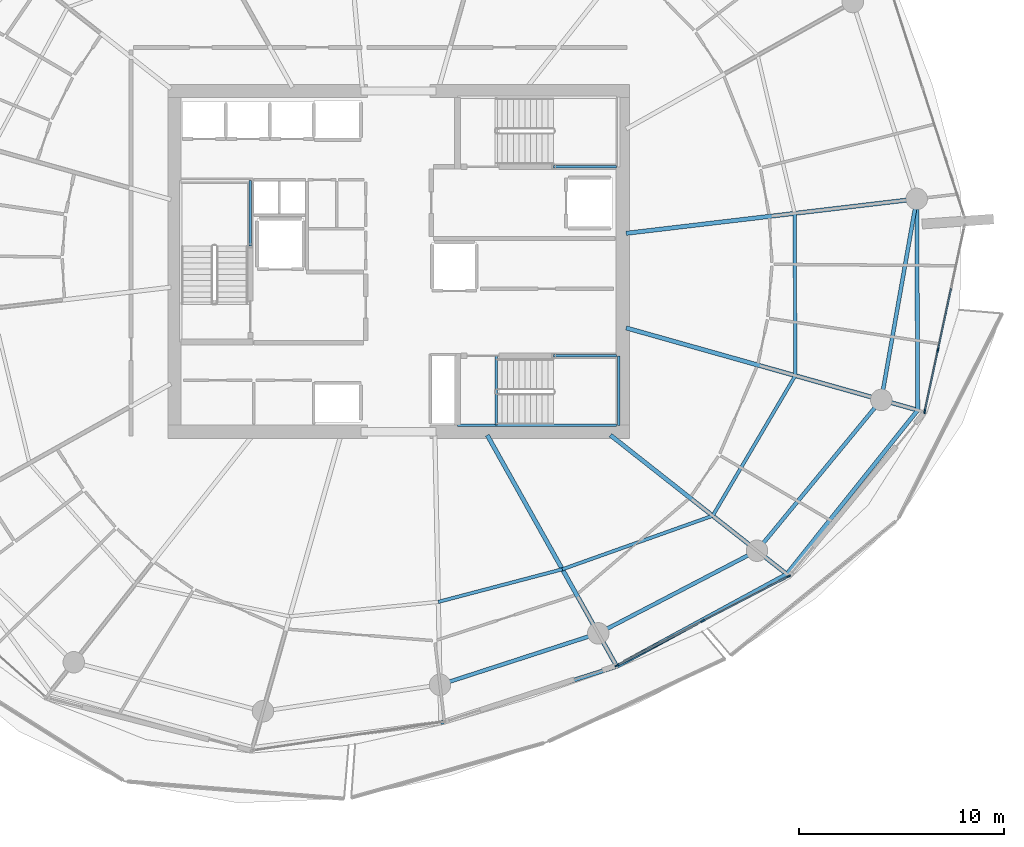
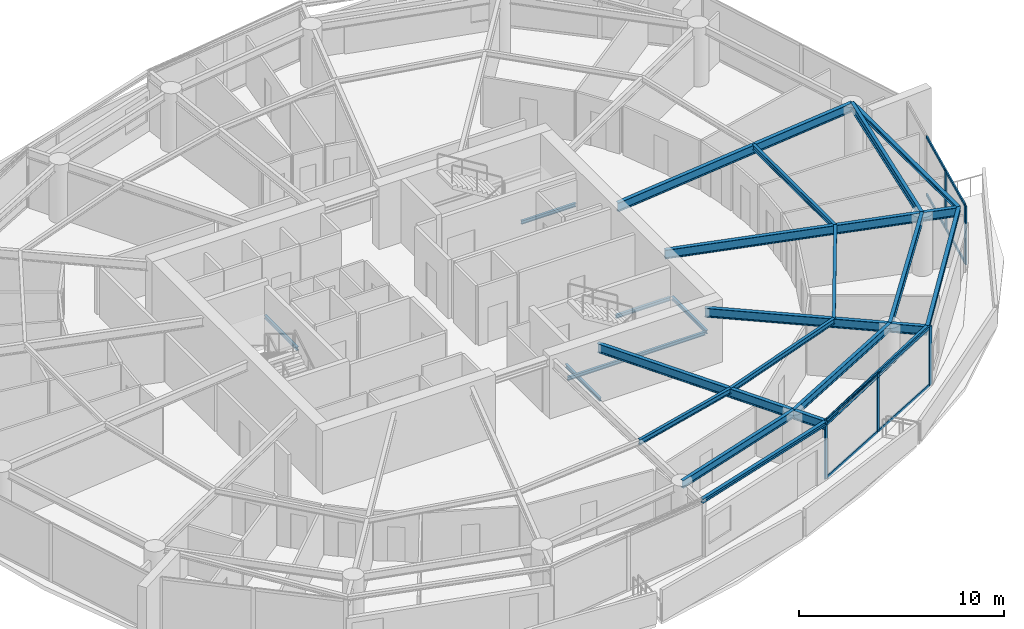
# One storey, part 6 of 20: 22 beams, 13 members, 2 elements without a shape of their own.
"""IFC4 building model written with IfcOpenShell, lengths in metres."""

from ifc_helpers import new_model, si_unit, direction, frame, origin, origin_2d, place, context, subcontext, project, spatial, rectangle, i_section, extrude, material, layer, layer_set, material_profile, profile_set, type_object, element, aggregate, save


model = new_model("IFC4")

# Units and contexts
model_context = context("Model", 3, precision=1e-05, world=origin(), true_north=direction((0.0, 1.0)))
body_context = subcontext(model_context, "Body", "Model", "MODEL_VIEW")
ifc_project = project(units=[si_unit("LENGTHUNIT", "METRE"), si_unit("AREAUNIT", "SQUARE_METRE"), si_unit("VOLUMEUNIT", "CUBIC_METRE"), si_unit("PLANEANGLEUNIT", "RADIAN"), si_unit("MASSUNIT", "GRAM", prefix="KILO")], contexts=[model_context])

# Site, building, storey
site_placement = place(None, origin())
site = spatial("IfcSite", under=ifc_project, at=site_placement, CompositionType="ELEMENT")
building_placement = place(site_placement, origin())
building = spatial("IfcBuilding", under=site, at=building_placement, Name="Kazma Halo Residences", CompositionType="ELEMENT")
storey_placement = place(building_placement, frame((0.0, 0.0, 202.800048828125)))
storey = spatial("IfcBuildingStorey", under=building, at=storey_placement, Name="L51", CompositionType="ELEMENT", Elevation=202.800048828125)

# Beams
ifc_material_1 = material(Name="Steel S355", Category="steel")
ifc_material_profile_1 = material_profile(ifc_material_1, i_section(OverallWidth=0.201904296875, OverallDepth=0.2470703125, WebThickness=0.00732421875, FlangeThickness=0.010986328125, FilletRadius=0.011962890625, at=origin_2d()), Name="W250x49.1")
ifc_profile_set_1 = profile_set([ifc_material_profile_1], Name="Steel S355")
beam_type_1 = type_object("IfcBeamType", Name="BM-BAL-CANT", PredefinedType="BEAM", material=ifc_profile_set_1)
beam_1_placement = place(storey_placement, frame((50.48779296875, 19.45068359375, 3.37646484375), z_axis=(0.952538666424, 0.30441762263, 0.0), x_axis=(-0.30441762263, 0.952538666424, 0.0)))
element("IfcBeam", 1, at=beam_1_placement, inside=storey, type_object=beam_type_1, Name="L51 wave-balcony tie beam 12", PredefinedType="BEAM", context=body_context, shape_type="SweptSolid", body=[
    extrude(i_section(OverallWidth=0.201904296875, OverallDepth=0.2470703125, WebThickness=0.00732421875, FlangeThickness=0.010986328125, FilletRadius=0.011962890625, at=origin_2d()), origin(), (0.0, 0.0, 1.0), 9.029541015625),
])
beam_2_placement = place(storey_placement, frame((59.0888671875, 22.199462890625, 3.37646484375), z_axis=(0.878890557257, 0.477023467309, 0.0), x_axis=(-0.477023467309, 0.878890557257, 0.0)))
element("IfcBeam", 2, at=beam_2_placement, inside=storey, type_object=beam_type_1, Name="L51 wave-balcony tie beam 13", PredefinedType="BEAM", context=body_context, shape_type="SweptSolid", body=[
    extrude(i_section(OverallWidth=0.201904296875, OverallDepth=0.2470703125, WebThickness=0.00732421875, FlangeThickness=0.010986328125, FilletRadius=0.011962890625, at=origin_2d()), origin(), (0.0, 0.0, 1.0), 9.452880859375),
])
beam_3_placement = place(storey_placement, frame((67.39697265625, 26.708740234375, 3.37646484375), z_axis=(0.624195724924, 0.781268005864, 0.0), x_axis=(-0.781268005864, 0.624195724924, 0.0)))
element("IfcBeam", 3, at=beam_3_placement, inside=storey, type_object=beam_type_1, Name="L51 wave-balcony tie beam 14", PredefinedType="BEAM", context=body_context, shape_type="SweptSolid", body=[
    extrude(i_section(OverallWidth=0.201904296875, OverallDepth=0.2470703125, WebThickness=0.00732421875, FlangeThickness=0.010986328125, FilletRadius=0.011962890625, at=origin_2d()), origin(), (0.0, 0.0, 1.0), 10.258544921875),
])
beam_4_placement = place(storey_placement, frame((73.80029296875, 34.723388671875, 3.37646484375), z_axis=(-0.004705663334, 0.999988928305, 0.0), x_axis=(-0.999988928305, -0.004705663334, 0.0)))
element("IfcBeam", 4, at=beam_4_placement, inside=storey, type_object=beam_type_1, Name="L51 wave-balcony tie beam 15", PredefinedType="BEAM", context=body_context, shape_type="SweptSolid", body=[
    extrude(i_section(OverallWidth=0.201904296875, OverallDepth=0.2470703125, WebThickness=0.00732421875, FlangeThickness=0.010986328125, FilletRadius=0.011962890625, at=origin_2d()), origin(), (0.0, 0.0, 1.0), 10.324462890625),
])
ifc_material_profile_2 = material_profile(ifc_material_1, i_section(OverallWidth=0.208984375, OverallDepth=0.532958984375, WebThickness=0.01025390625, FlangeThickness=0.015625, FilletRadius=0.01611328125, at=origin_2d()), Name="W530x92")
ifc_profile_set_2 = profile_set([ifc_material_profile_2], Name="Steel S355")
beam_type_2 = type_object("IfcBeamType", Name="BM-RAD-W530", PredefinedType="BEAM", material=ifc_profile_set_2)
beam_5_placement = place(storey_placement, frame((52.76025390625, 33.5, 3.2333984375), z_axis=(0.488621736368, -0.872495729931, 0.0), x_axis=(0.872495729931, 0.488621736368, 0.0)))
element("IfcBeam", 5, at=beam_5_placement, inside=storey, type_object=beam_type_2, Name="L51 radial floor beam 13", PredefinedType="BEAM", context=body_context, shape_type="SweptSolid", body=[
    extrude(i_section(OverallWidth=0.208984375, OverallDepth=0.532958984375, WebThickness=0.01025390625, FlangeThickness=0.015625, FilletRadius=0.01611328125, at=origin_2d()), origin(), (0.0, 0.0, 1.0), 12.951904296875),
])
beam_6_placement = place(storey_placement, frame((58.7822265625, 33.5, 3.2333984375), z_axis=(0.785319521624, -0.619090662954, 0.0), x_axis=(0.619090662954, 0.785319521624, 0.0)))
element("IfcBeam", 6, at=beam_6_placement, inside=storey, type_object=beam_type_2, Name="L51 radial floor beam 14", PredefinedType="BEAM", context=body_context, shape_type="SweptSolid", body=[
    extrude(i_section(OverallWidth=0.208984375, OverallDepth=0.532958984375, WebThickness=0.01025390625, FlangeThickness=0.015625, FilletRadius=0.01611328125, at=origin_2d()), origin(), (0.0, 0.0, 1.0), 10.9697265625),
])
beam_7_placement = place(storey_placement, frame((59.550048828125, 38.74267578125, 3.2333984375), z_axis=(0.962449896911, -0.271459381741, 0.0), x_axis=(0.271459381741, 0.962449896911, 0.0)))
element("IfcBeam", 7, at=beam_7_placement, inside=storey, type_object=beam_type_2, Name="L51 radial floor beam 15", PredefinedType="BEAM", context=body_context, shape_type="SweptSolid", body=[
    extrude(i_section(OverallWidth=0.208984375, OverallDepth=0.532958984375, WebThickness=0.01025390625, FlangeThickness=0.015625, FilletRadius=0.01611328125, at=origin_2d()), origin(), (0.0, 0.0, 1.0), 14.80615234375),
])
beam_8_placement = place(storey_placement, frame((59.550048828125, 43.366943359375, 3.2333984375), z_axis=(0.993068204292, 0.117539532174, 0.0), x_axis=(-0.117539532174, 0.993068204292, 0.0)))
element("IfcBeam", 8, at=beam_8_placement, inside=storey, type_object=beam_type_2, Name="L51 radial floor beam 16", PredefinedType="BEAM", context=body_context, shape_type="SweptSolid", body=[
    extrude(i_section(OverallWidth=0.208984375, OverallDepth=0.532958984375, WebThickness=0.01025390625, FlangeThickness=0.015625, FilletRadius=0.01611328125, at=origin_2d()), origin(), (0.0, 0.0, 1.0), 14.30078125),
])
ifc_material_profile_3 = material_profile(ifc_material_1, i_section(OverallWidth=0.1650390625, OverallDepth=0.31005859375, WebThickness=0.005859375, FlangeThickness=0.009765625, FilletRadius=0.011962890625, at=origin_2d()), Name="W310x38.7")
ifc_profile_set_3 = profile_set([ifc_material_profile_3], Name="Steel S355")
beam_type_3 = type_object("IfcBeamType", Name="BM-SEC-W310B", PredefinedType="JOIST", material=ifc_profile_set_3)
beam_9_placement = place(storey_placement, frame((50.366943359375, 25.3515625, 3.344970703125), z_axis=(0.967135034863, 0.254263297273, 0.0), x_axis=(-0.254263297273, 0.967135034863, 0.0)))
element("IfcBeam", 9, at=beam_9_placement, inside=storey, type_object=beam_type_3, Name="L51 circumferential floor joist 12", PredefinedType="JOIST", context=body_context, shape_type="SweptSolid", body=[
    extrude(i_section(OverallWidth=0.1650390625, OverallDepth=0.31005859375, WebThickness=0.005859375, FlangeThickness=0.009765625, FilletRadius=0.011962890625, at=origin_2d()), origin(), (0.0, 0.0, 1.0), 6.27001953125),
])
beam_10_placement = place(storey_placement, frame((56.430908203125, 26.94580078125, 3.344970703125), z_axis=(0.942107492186, 0.335311009612, 0.0), x_axis=(-0.335311009612, 0.942107492186, 0.0)))
element("IfcBeam", 10, at=beam_10_placement, inside=storey, type_object=beam_type_3, Name="L51 circumferential floor joist 13", PredefinedType="JOIST", context=body_context, shape_type="SweptSolid", body=[
    extrude(i_section(OverallWidth=0.1650390625, OverallDepth=0.31005859375, WebThickness=0.005859375, FlangeThickness=0.009765625, FilletRadius=0.011962890625, at=origin_2d()), origin(), (0.0, 0.0, 1.0), 7.79931640625),
])
beam_11_placement = place(storey_placement, frame((63.77880859375, 29.56103515625, 3.344970703125), z_axis=(0.507638586433, 0.861570116453, 0.0), x_axis=(-0.861570116453, 0.507638586433, 0.0)))
element("IfcBeam", 11, at=beam_11_placement, inside=storey, type_object=beam_type_3, Name="L51 circumferential floor joist 14", PredefinedType="JOIST", context=body_context, shape_type="SweptSolid", body=[
    extrude(i_section(OverallWidth=0.1650390625, OverallDepth=0.31005859375, WebThickness=0.005859375, FlangeThickness=0.009765625, FilletRadius=0.011962890625, at=origin_2d()), origin(), (0.0, 0.0, 1.0), 7.951171875),
])
beam_12_placement = place(storey_placement, frame((67.815185546875, 36.41162109375, 3.344970703125), z_axis=(-0.003540400199, 0.999993732764, 0.0), x_axis=(-0.999993732764, -0.003540400199, 0.0)))
element("IfcBeam", 12, at=beam_12_placement, inside=storey, type_object=beam_type_3, Name="L51 circumferential floor joist 15", PredefinedType="JOIST", context=body_context, shape_type="SweptSolid", body=[
    extrude(i_section(OverallWidth=0.1650390625, OverallDepth=0.31005859375, WebThickness=0.005859375, FlangeThickness=0.009765625, FilletRadius=0.011962890625, at=origin_2d()), origin(), (0.0, 0.0, 1.0), 7.93017578125),
])
ifc_material_profile_4 = material_profile(ifc_material_1, i_section(OverallWidth=0.18994140625, OverallDepth=0.45703125, WebThickness=0.009033203125, FlangeThickness=0.014404296875, FilletRadius=0.01611328125, at=origin_2d()), Name="W460x74")
ifc_profile_set_4 = profile_set([ifc_material_profile_4], Name="Steel S355")
beam_type_4 = type_object("IfcBeamType", Name="BM-SPN-W460", PredefinedType="BEAM", material=ifc_profile_set_4)
beam_13_placement = place(storey_placement, frame((50.449951171875, 21.30029296875, 3.271484375), z_axis=(0.951048627281, 0.30904127321, 0.0), x_axis=(-0.30904127321, 0.951048627281, 0.0)))
element("IfcBeam", 13, at=beam_13_placement, inside=storey, type_object=beam_type_4, Name="L51 perimeter ring beam 12", PredefinedType="BEAM", context=body_context, shape_type="SweptSolid", body=[
    extrude(i_section(OverallWidth=0.18994140625, OverallDepth=0.45703125, WebThickness=0.009033203125, FlangeThickness=0.014404296875, FilletRadius=0.01611328125, at=origin_2d()), origin(), (0.0, 0.0, 1.0), 8.133056640625),
])
beam_14_placement = place(storey_placement, frame((58.184814453125, 23.813720703125, 3.271484375), z_axis=(0.886961243394, 0.461843861838, 0.0), x_axis=(-0.461843861838, 0.886961243394, 0.0)))
element("IfcBeam", 14, at=beam_14_placement, inside=storey, type_object=beam_type_4, Name="L51 perimeter ring beam 13", PredefinedType="BEAM", context=body_context, shape_type="SweptSolid", body=[
    extrude(i_section(OverallWidth=0.18994140625, OverallDepth=0.45703125, WebThickness=0.009033203125, FlangeThickness=0.014404296875, FilletRadius=0.01611328125, at=origin_2d()), origin(), (0.0, 0.0, 1.0), 8.748046875),
])
beam_15_placement = place(storey_placement, frame((65.944091796875, 27.85400390625, 3.271484375), z_axis=(0.63601715545, 0.771674917289, 0.0), x_axis=(-0.771674917289, 0.63601715545, 0.0)))
element("IfcBeam", 15, at=beam_15_placement, inside=storey, type_object=beam_type_4, Name="L51 perimeter ring beam 14", PredefinedType="BEAM", context=body_context, shape_type="SweptSolid", body=[
    extrude(i_section(OverallWidth=0.18994140625, OverallDepth=0.45703125, WebThickness=0.009033203125, FlangeThickness=0.014404296875, FilletRadius=0.01611328125, at=origin_2d()), origin(), (0.0, 0.0, 1.0), 9.552734375),
])
beam_16_placement = place(storey_placement, frame((72.019775390625, 35.2255859375, 3.271484375), z_axis=(0.173648484202, 0.984807698962, 0.0), x_axis=(-0.984807698962, 0.173648484202, 0.0)))
element("IfcBeam", 16, at=beam_16_placement, inside=storey, type_object=beam_type_4, Name="L51 perimeter ring beam 15", PredefinedType="BEAM", context=body_context, shape_type="SweptSolid", body=[
    extrude(i_section(OverallWidth=0.18994140625, OverallDepth=0.45703125, WebThickness=0.009033203125, FlangeThickness=0.014404296875, FilletRadius=0.01611328125, at=origin_2d()), origin(), (0.0, 0.0, 1.0), 9.973876953125),
])
ifc_material_profile_5 = material_profile(ifc_material_1, i_section(OverallWidth=0.133056640625, OverallDepth=0.20703125, WebThickness=0.005859375, FlangeThickness=0.00830078125, FilletRadius=0.010009765625, at=origin_2d()), Name="W200x26.6")
ifc_profile_set_5 = profile_set([ifc_material_profile_5], Name="Steel S355")
beam_type_5 = type_object("IfcBeamType", Name="BM-TRIM-W200", PredefinedType="BEAM", material=ifc_profile_set_5)
beam_17_placement = place(storey_placement, frame((53.199951171875, 34.0, -0.360107421875), z_axis=(0.0, 1.0, 0.0), x_axis=(-1.0, 0.0, 0.0)))
element("IfcBeam", 17, at=beam_17_placement, inside=storey, type_object=beam_type_5, Name="L51 ST-03 floor landing support beam", PredefinedType="BEAM", context=body_context, shape_type="SweptSolid", body=[
    extrude(i_section(OverallWidth=0.133056640625, OverallDepth=0.20703125, WebThickness=0.005859375, FlangeThickness=0.00830078125, FilletRadius=0.010009765625, at=origin_2d()), origin(), (0.0, 0.0, 1.0), 3.3798828125),
])
beam_18_placement = place(storey_placement, frame((41.179931640625, 42.75, 1.570068359375), z_axis=(0.0, 1.0, 0.0), x_axis=(-1.0, 0.0, 0.0)))
element("IfcBeam", 18, at=beam_18_placement, inside=storey, type_object=beam_type_5, Name="L51 ST-01 landing east wall ledger", PredefinedType="BEAM", context=body_context, shape_type="SweptSolid", body=[
    extrude(i_section(OverallWidth=0.133056640625, OverallDepth=0.20703125, WebThickness=0.005859375, FlangeThickness=0.00830078125, FilletRadius=0.010009765625, at=origin_2d()), origin(), (0.0, 0.0, 1.0), 3.18994140625),
])
beam_19_placement = place(storey_placement, frame((56.0, 46.6201171875, 1.570068359375), z_axis=(1.0, 0.0, 0.0), x_axis=(0.0, 1.0, 0.0)))
element("IfcBeam", 19, at=beam_19_placement, inside=storey, type_object=beam_type_5, Name="L51 ST-02 landing south wall ledger", PredefinedType="BEAM", context=body_context, shape_type="SweptSolid", body=[
    extrude(i_section(OverallWidth=0.133056640625, OverallDepth=0.20703125, WebThickness=0.005859375, FlangeThickness=0.00830078125, FilletRadius=0.010009765625, at=origin_2d()), origin(), (0.0, 0.0, 1.0), 3.070068359375),
])
beam_20_placement = place(storey_placement, frame((51.31005859375, 33.97998046875, 1.570068359375), z_axis=(1.0, 0.0, 0.0), x_axis=(0.0, 1.0, 0.0)))
element("IfcBeam", 20, at=beam_20_placement, inside=storey, type_object=beam_type_5, Name="L51 ST-03 landing south wall ledger", PredefinedType="BEAM", context=body_context, shape_type="SweptSolid", body=[
    extrude(i_section(OverallWidth=0.133056640625, OverallDepth=0.20703125, WebThickness=0.005859375, FlangeThickness=0.00830078125, FilletRadius=0.010009765625, at=origin_2d()), origin(), (0.0, 0.0, 1.0), 7.760009765625),
])
beam_21_placement = place(storey_placement, frame((56.0, 37.3798828125, 1.570068359375), z_axis=(1.0, 0.0, 0.0), x_axis=(0.0, 1.0, 0.0)))
element("IfcBeam", 21, at=beam_21_placement, inside=storey, type_object=beam_type_5, Name="L51 ST-03 landing north wall ledger", PredefinedType="BEAM", context=body_context, shape_type="SweptSolid", body=[
    extrude(i_section(OverallWidth=0.133056640625, OverallDepth=0.20703125, WebThickness=0.005859375, FlangeThickness=0.00830078125, FilletRadius=0.010009765625, at=origin_2d()), origin(), (0.0, 0.0, 1.0), 3.070068359375),
])
beam_22_placement = place(storey_placement, frame((59.18994140625, 33.97998046875, 1.570068359375), z_axis=(0.0, 1.0, 0.0), x_axis=(-1.0, 0.0, 0.0)))
element("IfcBeam", 22, at=beam_22_placement, inside=storey, type_object=beam_type_5, Name="L51 ST-03 landing end wall ledger", PredefinedType="BEAM", context=body_context, shape_type="SweptSolid", body=[
    extrude(i_section(OverallWidth=0.133056640625, OverallDepth=0.20703125, WebThickness=0.005859375, FlangeThickness=0.00830078125, FilletRadius=0.010009765625, at=origin_2d()), origin(), (0.0, 0.0, 1.0), 3.39990234375),
])

# Curtain wall, members
ifc_material_2 = material(Name="Aluminium AW-6063 T6 and Triple-Silver Low-E Glass", Category="aluminium")
ifc_layer = layer(ifc_material_2, 0.219970703125)
ifc_layer_set = layer_set([ifc_layer], Name="Aluminium AW-6063 T6 and Triple-Silver Low-E Glass")
curtain_wall_type = type_object("IfcCurtainWallType", Name="CW-SYS-4", PredefinedType="NOTDEFINED", material=ifc_layer_set)
curtain_wall_1_placement = place(storey_placement, origin())
curtain_wall_1 = element("IfcCurtainWall", 23, at=curtain_wall_1_placement, inside=storey, type_object=curtain_wall_type, Name="L51 unitised curtain wall B13", PredefinedType="NOTDEFINED")
ifc_material_3 = material(Name="Aluminium AW-6063 T6", Category="aluminium")
ifc_material_profile_6 = material_profile(ifc_material_3, rectangle(XDim=0.074951171875, YDim=0.219970703125, at=origin_2d()), Name="CWM-75x220")
ifc_profile_set_6 = profile_set([ifc_material_profile_6], Name="Aluminium AW-6063 T6")
member_type_1 = type_object("IfcMemberType", Name="CW-SYS-4-MUL", PredefinedType="MULLION", material=ifc_profile_set_6)
member_1_placement = place(storey_placement, frame((59.105712890625, 22.24609375, 0.0), z_axis=(0.0, 0.0, 1.0), x_axis=(-0.460873851097, 0.887465657575, 0.0)))
member_1 = element("IfcMember", 24, at=member_1_placement, type_object=member_type_1, Name="CWS-4 mullion 1", PredefinedType="MULLION", context=body_context, shape_type="SweptSolid", body=[
    extrude(rectangle(XDim=0.074951171875, YDim=0.219970703125, at=origin_2d()), origin(), (0.0, 0.0, 1.0), 3.5),
])
member_2_placement = place(storey_placement, frame((63.294677734375, 24.421630859375, 0.0), z_axis=(0.0, 0.0, 1.0), x_axis=(-0.460873851097, 0.887465657575, 0.0)))
member_2 = element("IfcMember", 25, at=member_2_placement, type_object=member_type_1, Name="CWS-4 mullion 2", PredefinedType="MULLION", context=body_context, shape_type="SweptSolid", body=[
    extrude(rectangle(XDim=0.074951171875, YDim=0.219970703125, at=origin_2d()), origin(), (0.0, 0.0, 1.0), 3.5),
])
member_3_placement = place(storey_placement, frame((67.4833984375, 26.596923828125, 0.0), z_axis=(0.0, 0.0, 1.0), x_axis=(-0.460873851097, 0.887465657575, 0.0)))
member_3 = element("IfcMember", 26, at=member_3_placement, type_object=member_type_1, Name="CWS-4 mullion 3", PredefinedType="MULLION", context=body_context, shape_type="SweptSolid", body=[
    extrude(rectangle(XDim=0.074951171875, YDim=0.219970703125, at=origin_2d()), origin(), (0.0, 0.0, 1.0), 3.5),
])

curtain_wall_2_placement = place(storey_placement, origin())
curtain_wall_2 = element("IfcCurtainWall", 27, at=curtain_wall_2_placement, inside=storey, type_object=curtain_wall_type, Name="L51 unitised curtain wall B15", PredefinedType="NOTDEFINED")
member_4_placement = place(storey_placement, frame((74.1435546875, 34.665771484375, 0.0), z_axis=(0.0, 0.0, 1.0), x_axis=(-0.977768017212, 0.209689543175, 0.0)))
member_4 = element("IfcMember", 28, at=member_4_placement, type_object=member_type_1, Name="CWS-4 mullion 1", PredefinedType="MULLION", context=body_context, shape_type="SweptSolid", body=[
    extrude(rectangle(XDim=0.074951171875, YDim=0.219970703125, at=origin_2d()), origin(), (0.0, 0.0, 1.0), 3.5),
])
member_5_placement = place(storey_placement, frame((74.787109375, 37.6669921875, 0.0), z_axis=(0.0, 0.0, 1.0), x_axis=(-0.977768017212, 0.209689543175, 0.0)))
member_5 = element("IfcMember", 29, at=member_5_placement, type_object=member_type_1, Name="CWS-4 mullion 2", PredefinedType="MULLION", context=body_context, shape_type="SweptSolid", body=[
    extrude(rectangle(XDim=0.074951171875, YDim=0.219970703125, at=origin_2d()), origin(), (0.0, 0.0, 1.0), 3.5),
])

# Member
ifc_material_profile_7 = material_profile(ifc_material_3, rectangle(XDim=0.074951171875, YDim=0.1650390625, at=origin_2d()), Name="CWT-75x165")
ifc_profile_set_7 = profile_set([ifc_material_profile_7], Name="Aluminium AW-6063 T6")
member_type_2 = type_object("IfcMemberType", Name="CW-SYS-4-TRN", PredefinedType="USERDEFINED", material=ifc_profile_set_7)
member_6_placement = place(storey_placement, frame((59.138916015625, 22.263427734375, 0.037353515625), z_axis=(0.887457630519, 0.460889307789, 0.0), x_axis=(-0.460889307789, 0.887457630519, 0.0)))
member_6 = element("IfcMember", 30, at=member_6_placement, type_object=member_type_2, Name="CWS-4 transom 1.1", ObjectType="TRANSOM", PredefinedType="USERDEFINED", context=body_context, shape_type="SweptSolid", body=[
    extrude(rectangle(XDim=0.074951171875, YDim=0.1650390625, at=origin_2d()), origin(), (0.0, 0.0, 1.0), 4.64501953125),
])

member_7_placement = place(storey_placement, frame((59.138916015625, 22.263427734375, 3.46240234375), z_axis=(0.887457630519, 0.460889307789, 0.0), x_axis=(-0.460889307789, 0.887457630519, 0.0)))
member_7 = element("IfcMember", 31, at=member_7_placement, type_object=member_type_2, Name="CWS-4 transom 1.2", ObjectType="TRANSOM", PredefinedType="USERDEFINED", context=body_context, shape_type="SweptSolid", body=[
    extrude(rectangle(XDim=0.074951171875, YDim=0.1650390625, at=origin_2d()), origin(), (0.0, 0.0, 1.0), 4.64501953125),
])

member_8_placement = place(storey_placement, frame((63.327880859375, 24.438720703125, 0.037353515625), z_axis=(0.887457630519, 0.460889307789, 0.0), x_axis=(-0.460889307789, 0.887457630519, 0.0)))
member_8 = element("IfcMember", 32, at=member_8_placement, type_object=member_type_2, Name="CWS-4 transom 2.1", ObjectType="TRANSOM", PredefinedType="USERDEFINED", context=body_context, shape_type="SweptSolid", body=[
    extrude(rectangle(XDim=0.074951171875, YDim=0.1650390625, at=origin_2d()), origin(), (0.0, 0.0, 1.0), 4.64501953125),
])

member_9_placement = place(storey_placement, frame((63.327880859375, 24.438720703125, 3.46240234375), z_axis=(0.887457630519, 0.460889307789, 0.0), x_axis=(-0.460889307789, 0.887457630519, 0.0)))
member_9 = element("IfcMember", 33, at=member_9_placement, type_object=member_type_2, Name="CWS-4 transom 2.2", ObjectType="TRANSOM", PredefinedType="USERDEFINED", context=body_context, shape_type="SweptSolid", body=[
    extrude(rectangle(XDim=0.074951171875, YDim=0.1650390625, at=origin_2d()), origin(), (0.0, 0.0, 1.0), 4.64501953125),
])

aggregate(curtain_wall_1, [member_1, member_2, member_3, member_6, member_7, member_8, member_9])

member_10_placement = place(storey_placement, frame((74.1513671875, 34.702392578125, 0.037353515625), z_axis=(0.209707268418, 0.977764215735, 0.0), x_axis=(-0.977764215735, 0.209707268418, 0.0)))
member_10 = element("IfcMember", 34, at=member_10_placement, type_object=member_type_2, Name="CWS-4 transom 1.1", ObjectType="TRANSOM", PredefinedType="USERDEFINED", context=body_context, shape_type="SweptSolid", body=[
    extrude(rectangle(XDim=0.074951171875, YDim=0.1650390625, at=origin_2d()), origin(), (0.0, 0.0, 1.0), 2.994384765625),
])

member_11_placement = place(storey_placement, frame((74.1513671875, 34.702392578125, 3.46240234375), z_axis=(0.209707268418, 0.977764215735, 0.0), x_axis=(-0.977764215735, 0.209707268418, 0.0)))
member_11 = element("IfcMember", 35, at=member_11_placement, type_object=member_type_2, Name="CWS-4 transom 1.2", ObjectType="TRANSOM", PredefinedType="USERDEFINED", context=body_context, shape_type="SweptSolid", body=[
    extrude(rectangle(XDim=0.074951171875, YDim=0.1650390625, at=origin_2d()), origin(), (0.0, 0.0, 1.0), 2.994384765625),
])

member_12_placement = place(storey_placement, frame((74.794921875, 37.70361328125, 0.037353515625), z_axis=(0.209677559804, 0.977770587057, 0.0), x_axis=(-0.977770587057, 0.209677559804, 0.0)))
member_12 = element("IfcMember", 36, at=member_12_placement, type_object=member_type_2, Name="CWS-4 transom 2.1", ObjectType="TRANSOM", PredefinedType="USERDEFINED", context=body_context, shape_type="SweptSolid", body=[
    extrude(rectangle(XDim=0.074951171875, YDim=0.1650390625, at=origin_2d()), origin(), (0.0, 0.0, 1.0), 3.031982421875),
])

member_13_placement = place(storey_placement, frame((74.794921875, 37.70361328125, 3.46240234375), z_axis=(0.209677559804, 0.977770587057, 0.0), x_axis=(-0.977770587057, 0.209677559804, 0.0)))
member_13 = element("IfcMember", 37, at=member_13_placement, type_object=member_type_2, Name="CWS-4 transom 2.2", ObjectType="TRANSOM", PredefinedType="USERDEFINED", context=body_context, shape_type="SweptSolid", body=[
    extrude(rectangle(XDim=0.074951171875, YDim=0.1650390625, at=origin_2d()), origin(), (0.0, 0.0, 1.0), 3.031982421875),
])

aggregate(curtain_wall_2, [member_4, member_5, member_10, member_11, member_12, member_13])

save(model, "model.ifc")
